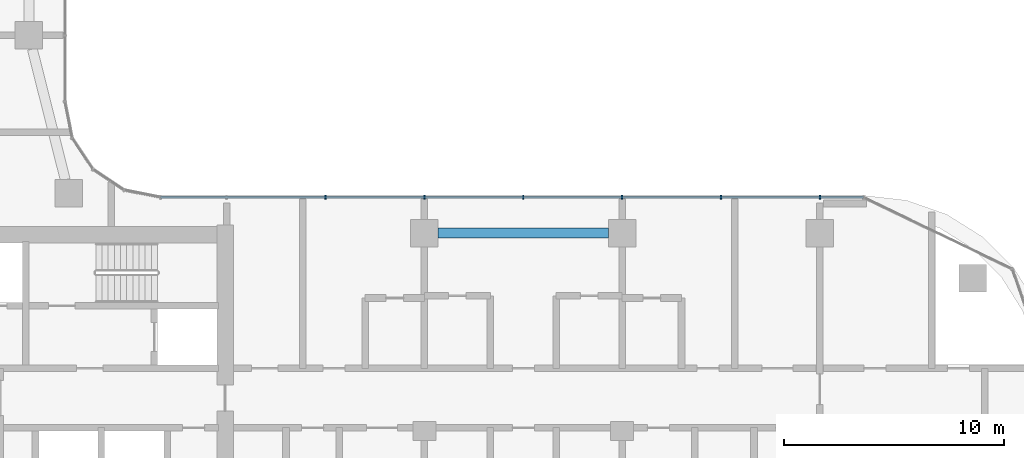
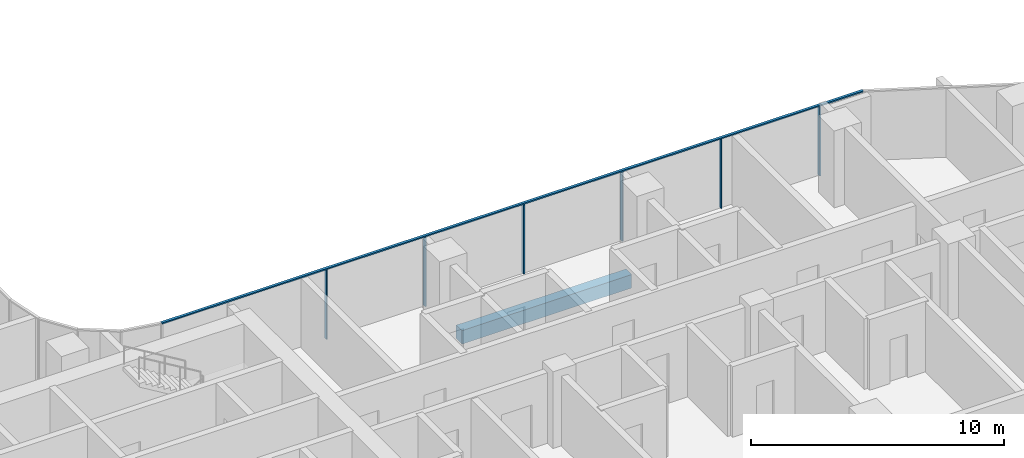
# One storey, part 4 of 22: 7 members, 1 beam, 1 element without a shape of its own.
"""IFC4 building model written with IfcOpenShell, lengths in metres."""

from ifc_helpers import new_model, si_unit, direction, frame, origin, origin_2d, place, context, subcontext, project, spatial, rectangle, extrude, material, material_profile, profile_set, type_object, element, aggregate, save


model = new_model("IFC4")

# Units and contexts
model_context = context("Model", 3, precision=1e-05, world=origin(), true_north=direction((0.0, 1.0)))
body_context = subcontext(model_context, "Body", "Model", "MODEL_VIEW")
ifc_project = project(units=[si_unit("LENGTHUNIT", "METRE"), si_unit("AREAUNIT", "SQUARE_METRE"), si_unit("VOLUMEUNIT", "CUBIC_METRE"), si_unit("PLANEANGLEUNIT", "RADIAN"), si_unit("MASSUNIT", "GRAM", prefix="KILO")], contexts=[model_context])

# Site, building, storey
site_placement = place(None, origin())
site = spatial("IfcSite", under=ifc_project, at=site_placement, CompositionType="ELEMENT")
building_placement = place(site_placement, origin())
building = spatial("IfcBuilding", under=site, at=building_placement, Name="Ogive Portal Towers", CompositionType="ELEMENT")
storey_placement = place(building_placement, frame((0.0, 0.0, 131.5)))
storey = spatial("IfcBuildingStorey", under=building, at=storey_placement, Name="L32", CompositionType="ELEMENT", Elevation=131.5)

# Curtain wall, members
ifc_material_1 = material(Name="Glass, clear low-iron insulated glazing", Category="glass")
curtain_wall_type = type_object("IfcCurtainWallType", Name="CW FRONT RIBBON 4500", PredefinedType="NOTDEFINED", material=ifc_material_1)
curtain_wall_placement = place(storey_placement, origin())
curtain_wall = element("IfcCurtainWall", 1, at=curtain_wall_placement, inside=storey, type_object=curtain_wall_type, Name="A:L32:f13:cw0", PredefinedType="NOTDEFINED")
ifc_material_2 = material(Name="Aluminium 6063 anodised", Category="aluminium")
ifc_material_profile_1 = material_profile(ifc_material_2, rectangle(XDim=0.159912109375, YDim=0.06005859375, at=origin_2d()), Name="AL 60x160")
ifc_profile_set_1 = profile_set([ifc_material_profile_1], Name="Aluminium 6063 anodised")
member_type_1 = type_object("IfcMemberType", Name="CW MULLION 60x160", PredefinedType="MULLION", material=ifc_profile_set_1)
member_1_placement = place(storey_placement, frame((85.5, 41.135009765625, 0.0), z_axis=(0.0, 0.0, 1.0), x_axis=(0.0, -1.0, 0.0)))
member_1 = element("IfcMember", 2, at=member_1_placement, type_object=member_type_1, Name="mullion", PredefinedType="MULLION", context=body_context, shape_type="SweptSolid", body=[
    extrude(rectangle(XDim=0.159912109375, YDim=0.06005859375, at=origin_2d()), origin(), (0.0, 0.0, 1.0), 3.340087890625),
])
member_2_placement = place(storey_placement, frame((81.0, 41.135009765625, 0.0), z_axis=(0.0, 0.0, 1.0), x_axis=(0.0, -1.0, 0.0)))
member_2 = element("IfcMember", 3, at=member_2_placement, type_object=member_type_1, Name="mullion", PredefinedType="MULLION", context=body_context, shape_type="SweptSolid", body=[
    extrude(rectangle(XDim=0.159912109375, YDim=0.06005859375, at=origin_2d()), origin(), (0.0, 0.0, 1.0), 3.340087890625),
])
member_3_placement = place(storey_placement, frame((76.5, 41.135009765625, 0.0), z_axis=(0.0, 0.0, 1.0), x_axis=(0.0, -1.0, 0.0)))
member_3 = element("IfcMember", 4, at=member_3_placement, type_object=member_type_1, Name="mullion", PredefinedType="MULLION", context=body_context, shape_type="SweptSolid", body=[
    extrude(rectangle(XDim=0.159912109375, YDim=0.06005859375, at=origin_2d()), origin(), (0.0, 0.0, 1.0), 3.340087890625),
])
member_4_placement = place(storey_placement, frame((72.0, 41.135009765625, 0.0), z_axis=(0.0, 0.0, 1.0), x_axis=(0.0, -1.0, 0.0)))
member_4 = element("IfcMember", 5, at=member_4_placement, type_object=member_type_1, Name="mullion", PredefinedType="MULLION", context=body_context, shape_type="SweptSolid", body=[
    extrude(rectangle(XDim=0.159912109375, YDim=0.06005859375, at=origin_2d()), origin(), (0.0, 0.0, 1.0), 3.340087890625),
])
member_5_placement = place(storey_placement, frame((67.5, 41.135009765625, 0.0), z_axis=(0.0, 0.0, 1.0), x_axis=(0.0, -1.0, 0.0)))
member_5 = element("IfcMember", 6, at=member_5_placement, type_object=member_type_1, Name="mullion", PredefinedType="MULLION", context=body_context, shape_type="SweptSolid", body=[
    extrude(rectangle(XDim=0.159912109375, YDim=0.06005859375, at=origin_2d()), origin(), (0.0, 0.0, 1.0), 3.340087890625),
])
member_6_placement = place(storey_placement, frame((63.0, 41.135009765625, 0.0), z_axis=(0.0, 0.0, 1.0), x_axis=(0.0, -1.0, 0.0)))
member_6 = element("IfcMember", 7, at=member_6_placement, type_object=member_type_1, Name="mullion", PredefinedType="MULLION", context=body_context, shape_type="SweptSolid", body=[
    extrude(rectangle(XDim=0.159912109375, YDim=0.06005859375, at=origin_2d()), origin(), (0.0, 0.0, 1.0), 3.340087890625),
])
ifc_material_profile_2 = material_profile(ifc_material_2, rectangle(XDim=0.1201171875, YDim=0.06005859375, at=origin_2d()), Name="AL 120x60")
ifc_profile_set_2 = profile_set([ifc_material_profile_2], Name="Aluminium 6063 anodised")
member_type_2 = type_object("IfcMemberType", Name="CW TRANSOM 60x120", PredefinedType="USERDEFINED", material=ifc_profile_set_2)
member_7_placement = place(storey_placement, frame((87.481689453125, 41.135009765625, 3.3701171875), z_axis=(-1.0, 0.0, 0.0), x_axis=(0.0, -1.0, 0.0)))
member_7 = element("IfcMember", 8, at=member_7_placement, type_object=member_type_2, Name="transom", ObjectType="TRANSOM", PredefinedType="USERDEFINED", context=body_context, shape_type="SweptSolid", body=[
    extrude(rectangle(XDim=0.1201171875, YDim=0.06005859375, at=origin_2d()), origin(), (0.0, 0.0, 1.0), 31.989501953125),
])
aggregate(curtain_wall, [member_7, member_1, member_2, member_3, member_4, member_5, member_6])

# Beam
ifc_material_3 = material(Name="Concrete C50/60", Category="concrete")
ifc_material_profile_3 = material_profile(ifc_material_3, rectangle(XDim=0.449951171875, YDim=0.64990234375, at=origin_2d()), Name="RC 450x650")
ifc_profile_set_3 = profile_set([ifc_material_profile_3], Name="Concrete C50/60")
beam_type = type_object("IfcBeamType", Name="SPANDREL BEAM RC 450x650", PredefinedType="BEAM", material=ifc_profile_set_3)
beam_placement = place(storey_placement, frame((68.125, 39.5, -0.625), z_axis=(1.0, 0.0, 0.0), x_axis=(0.0, 1.0, 0.0)))
element("IfcBeam", 9, at=beam_placement, inside=storey, type_object=beam_type, Name="Spandrel beam L32", PredefinedType="BEAM", context=body_context, shape_type="SweptSolid", body=[
    extrude(rectangle(XDim=0.449951171875, YDim=0.64990234375, at=origin_2d()), origin(), (0.0, 0.0, 1.0), 7.75),
])

save(model, "model.ifc")
